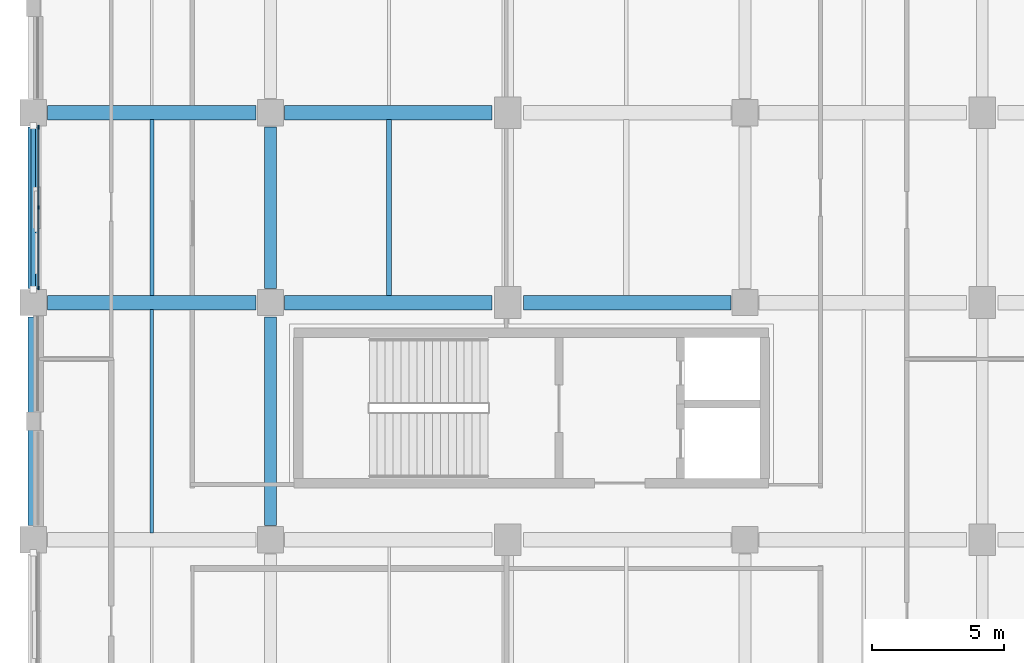
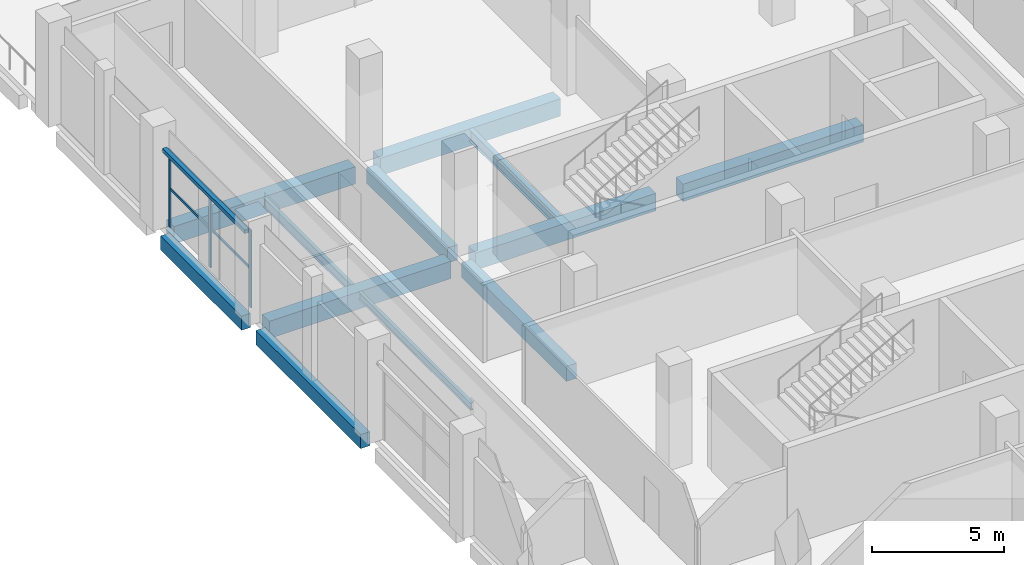
# One storey, part 20 of 111: 12 beams, 6 members, 1 element without a shape of its own.
"""IFC4 building model written with IfcOpenShell, lengths in metres."""

from ifc_helpers import new_model, si_unit, direction, frame, origin, origin_2d, place, context, subcontext, project, spatial, rectangle, hollow_rectangle, i_section, extrude, material, material_profile, profile_set, type_object, element, aggregate, save


model = new_model("IFC4")

# Units and contexts
model_context = context("Model", 3, precision=1e-05, world=origin(), true_north=direction((0.0, 1.0)))
body_context = subcontext(model_context, "Body", "Model", "MODEL_VIEW")
ifc_project = project(units=[si_unit("LENGTHUNIT", "METRE"), si_unit("AREAUNIT", "SQUARE_METRE"), si_unit("VOLUMEUNIT", "CUBIC_METRE"), si_unit("PLANEANGLEUNIT", "RADIAN"), si_unit("MASSUNIT", "GRAM", prefix="KILO"), si_unit("THERMODYNAMICTEMPERATUREUNIT", "KELVIN"), si_unit("POWERUNIT", "WATT")], contexts=[model_context])

# Site, building, storey
site_placement = place(None, origin())
site = spatial("IfcSite", under=ifc_project, at=site_placement, CompositionType="ELEMENT")
building_placement = place(site_placement, origin())
building = spatial("IfcBuilding", under=site, at=building_placement, Name="Sindhuravela Promenade Stadium", CompositionType="ELEMENT")
storey_placement = place(building_placement, frame((0.0, 0.0, 9.60009765625)))
storey = spatial("IfcBuildingStorey", under=building, at=storey_placement, Name="L02", CompositionType="ELEMENT", Elevation=9.60009765625)

# Curtain wall, members
ifc_material_1 = material(Name="Anodised architectural aluminium 6063-T6", Category="aluminium")
curtain_wall_type = type_object("IfcCurtainWallType", Name="CW-MOD-3", PredefinedType="NOTDEFINED", material=ifc_material_1)
curtain_wall_placement = place(storey_placement, origin())
curtain_wall = element("IfcCurtainWall", 1, at=curtain_wall_placement, inside=storey, type_object=curtain_wall_type, Name="Bronze curtain wall CW-WEST-L02-010", PredefinedType="NOTDEFINED")
ifc_material_profile_1 = material_profile(ifc_material_1, rectangle(XDim=0.06005859375, YDim=0.139892578125, at=origin_2d()), Name="ALU M60x140")
ifc_profile_set_1 = profile_set([ifc_material_profile_1], Name="Anodised architectural aluminium 6063-T6")
member_type_1 = type_object("IfcMemberType", Name="CW-MUL-5", PredefinedType="MULLION", material=ifc_profile_set_1)
member_1_placement = place(storey_placement, frame((0.199951171875, 110.35009765625, 0.0), z_axis=(0.0, 0.0, 1.0), x_axis=(1.0, 0.0, 0.0)))
member_1 = element("IfcMember", 2, at=member_1_placement, type_object=member_type_1, Name="Curtain wall mullion CW-WEST-L02-010-M1", PredefinedType="MULLION", context=body_context, shape_type="SweptSolid", body=[
    extrude(rectangle(XDim=0.06005859375, YDim=0.139892578125, at=origin_2d()), origin(), (0.0, 0.0, 1.0), 3.579833984375),
])
member_2_placement = place(storey_placement, frame((0.199951171875, 113.39990234375, 0.0), z_axis=(0.0, 0.0, 1.0), x_axis=(1.0, 0.0, 0.0)))
member_2 = element("IfcMember", 3, at=member_2_placement, type_object=member_type_1, Name="Curtain wall mullion CW-WEST-L02-010-M2", PredefinedType="MULLION", context=body_context, shape_type="SweptSolid", body=[
    extrude(rectangle(XDim=0.06005859375, YDim=0.139892578125, at=origin_2d()), origin(), (0.0, 0.0, 1.0), 3.579833984375),
])
member_3_placement = place(storey_placement, frame((0.199951171875, 116.449951171875, 0.0), z_axis=(0.0, 0.0, 1.0), x_axis=(1.0, 0.0, 0.0)))
member_3 = element("IfcMember", 4, at=member_3_placement, type_object=member_type_1, Name="Curtain wall mullion CW-WEST-L02-010-M3", PredefinedType="MULLION", context=body_context, shape_type="SweptSolid", body=[
    extrude(rectangle(XDim=0.06005859375, YDim=0.139892578125, at=origin_2d()), origin(), (0.0, 0.0, 1.0), 3.579833984375),
])
ifc_material_profile_2 = material_profile(ifc_material_1, rectangle(XDim=0.06005859375, YDim=0.110107421875, at=origin_2d()), Name="ALU T60x110")
ifc_profile_set_2 = profile_set([ifc_material_profile_2], Name="Anodised architectural aluminium 6063-T6")
member_type_2 = type_object("IfcMemberType", Name="CW-TRN-5", PredefinedType="USERDEFINED", material=ifc_profile_set_2)
member_4_placement = place(storey_placement, frame((0.199951171875, 110.324951171875, 1.789794921875), z_axis=(0.0, 1.0, 0.0), x_axis=(-1.0, 0.0, 0.0)))
member_4 = element("IfcMember", 5, at=member_4_placement, type_object=member_type_2, Name="Curtain wall transom CW-WEST-L02-010-T1", ObjectType="TRANSOM", PredefinedType="USERDEFINED", context=body_context, shape_type="SweptSolid", body=[
    extrude(rectangle(XDim=0.06005859375, YDim=0.110107421875, at=origin_2d()), origin(), (0.0, 0.0, 1.0), 6.150146484375),
])
member_5_placement = place(storey_placement, frame((0.199951171875, 110.324951171875, 3.5), z_axis=(0.0, 1.0, 0.0), x_axis=(-1.0, 0.0, 0.0)))
member_5 = element("IfcMember", 6, at=member_5_placement, type_object=member_type_2, Name="Curtain wall transom CW-WEST-L02-010-T2", ObjectType="TRANSOM", PredefinedType="USERDEFINED", context=body_context, shape_type="SweptSolid", body=[
    extrude(rectangle(XDim=0.06005859375, YDim=0.110107421875, at=origin_2d()), origin(), (0.0, 0.0, 1.0), 6.150146484375),
])
aggregate(curtain_wall, [member_1, member_2, member_3, member_4, member_5])

# Beams
ifc_material_2 = material(Name="Concrete M40", Category="concrete")
ifc_material_profile_3 = material_profile(ifc_material_2, rectangle(XDim=0.39990234375, YDim=0.64990234375, at=origin_2d()), Name="RC 400x650")
ifc_profile_set_3 = profile_set([ifc_material_profile_3], Name="Concrete M40")
beam_type_1 = type_object("IfcBeamType", Name="RC-BM-400x650", PredefinedType="SPANDREL", material=ifc_profile_set_3)
beam_1_placement = place(storey_placement, frame((0.0, 101.340087890625, -0.60498046875), z_axis=(0.0, 1.0, 0.0), x_axis=(-1.0, 0.0, 0.0)))
element("IfcBeam", 7, at=beam_1_placement, inside=storey, type_object=beam_type_1, Name="Primary beam SP01 WEST L02", PredefinedType="SPANDREL", context=body_context, shape_type="SweptSolid", body=[
    extrude(rectangle(XDim=0.39990234375, YDim=0.64990234375, at=origin_2d()), origin(), (0.0, 0.0, 1.0), 7.919921875),
])
beam_2_placement = place(storey_placement, frame((0.0, 110.340087890625, -0.60498046875), z_axis=(0.0, 1.0, 0.0), x_axis=(-1.0, 0.0, 0.0)))
element("IfcBeam", 8, at=beam_2_placement, inside=storey, type_object=beam_type_1, Name="Primary beam SP01 WEST L02", PredefinedType="SPANDREL", context=body_context, shape_type="SweptSolid", body=[
    extrude(rectangle(XDim=0.39990234375, YDim=0.64990234375, at=origin_2d()), origin(), (0.0, 0.0, 1.0), 6.119873046875),
])
ifc_material_profile_4 = material_profile(ifc_material_2, rectangle(XDim=0.449951171875, YDim=0.699951171875, at=origin_2d()), Name="RC 450x700")
ifc_profile_set_4 = profile_set([ifc_material_profile_4], Name="Concrete M40")
beam_type_2 = type_object("IfcBeamType", Name="RC-BM-450x700", PredefinedType="BEAM", material=ifc_profile_set_4)
beam_3_placement = place(storey_placement, frame((9.0, 101.340087890625, -0.630126953125), z_axis=(0.0, 1.0, 0.0), x_axis=(-1.0, 0.0, 0.0)))
element("IfcBeam", 9, at=beam_3_placement, inside=storey, type_object=beam_type_2, Name="Primary beam GB07 WEST L02", PredefinedType="BEAM", context=body_context, shape_type="SweptSolid", body=[
    extrude(rectangle(XDim=0.449951171875, YDim=0.699951171875, at=origin_2d()), origin(), (0.0, 0.0, 1.0), 7.919921875),
])
beam_4_placement = place(storey_placement, frame((9.0, 110.340087890625, -0.630126953125), z_axis=(0.0, 1.0, 0.0), x_axis=(-1.0, 0.0, 0.0)))
element("IfcBeam", 10, at=beam_4_placement, inside=storey, type_object=beam_type_2, Name="Primary beam GB07 WEST L02", PredefinedType="BEAM", context=body_context, shape_type="SweptSolid", body=[
    extrude(rectangle(XDim=0.449951171875, YDim=0.699951171875, at=origin_2d()), origin(), (0.0, 0.0, 1.0), 6.119873046875),
])
ifc_material_profile_5 = material_profile(ifc_material_2, rectangle(XDim=0.550048828125, YDim=0.800048828125, at=origin_2d()), Name="RC 550x800")
ifc_profile_set_5 = profile_set([ifc_material_profile_5], Name="Concrete M40")
beam_type_3 = type_object("IfcBeamType", Name="RC-BM-550x800", PredefinedType="BEAM", material=ifc_profile_set_5)
beam_5_placement = place(storey_placement, frame((0.5400390625, 109.800048828125, -0.68017578125), z_axis=(1.0, 0.0, 0.0), x_axis=(0.0, 1.0, 0.0)))
element("IfcBeam", 11, at=beam_5_placement, inside=storey, type_object=beam_type_3, Name="Primary girder GB05 WEST L02", PredefinedType="BEAM", context=body_context, shape_type="SweptSolid", body=[
    extrude(rectangle(XDim=0.550048828125, YDim=0.800048828125, at=origin_2d()), origin(), (0.0, 0.0, 1.0), 7.919921875),
])
for number, where, z_axis, x_axis, name in (
    (12, (9.5400390625, 109.800048828125, -0.68017578125), (1.0, 0.0, 0.0), (0.0, 1.0, 0.0), "Primary girder GB05 WEST L02"),
    (13, (18.590087890625, 109.800048828125, -0.68017578125), (1.0, 0.0, 0.0), (0.0, 1.0, 0.0), "Primary girder GB05 WEST L02"),
):
    element("IfcBeam", number, at=place(storey_placement, frame(where, z_axis=z_axis, x_axis=x_axis)), inside=storey, type_object=beam_type_3, Name=name, PredefinedType="BEAM", context=body_context, shape_type="SweptSolid", body=[
        extrude(rectangle(XDim=0.550048828125, YDim=0.800048828125, at=origin_2d()), origin(), (0.0, 0.0, 1.0), 7.869873046875),
    ])
beam_6_placement = place(storey_placement, frame((0.5400390625, 117.0, -0.68017578125), z_axis=(1.0, 0.0, 0.0), x_axis=(0.0, 1.0, 0.0)))
element("IfcBeam", 14, at=beam_6_placement, inside=storey, type_object=beam_type_3, Name="Primary girder GB05 WEST L02", PredefinedType="BEAM", context=body_context, shape_type="SweptSolid", body=[
    extrude(rectangle(XDim=0.550048828125, YDim=0.800048828125, at=origin_2d()), origin(), (0.0, 0.0, 1.0), 7.919921875),
])
beam_7_placement = place(storey_placement, frame((9.5400390625, 117.0, -0.68017578125), z_axis=(1.0, 0.0, 0.0), x_axis=(0.0, 1.0, 0.0)))
element("IfcBeam", 15, at=beam_7_placement, inside=storey, type_object=beam_type_3, Name="Primary girder GB05 WEST L02", PredefinedType="BEAM", context=body_context, shape_type="SweptSolid", body=[
    extrude(rectangle(XDim=0.550048828125, YDim=0.800048828125, at=origin_2d()), origin(), (0.0, 0.0, 1.0), 7.869873046875),
])
ifc_material_3 = material(Name="Steel E350 (IS 2062 E350BR)", Category="steel")
ifc_material_profile_6 = material_profile(ifc_material_3, i_section(OverallWidth=0.139892578125, OverallDepth=0.35009765625, WebThickness=0.008056640625, FlangeThickness=0.01416015625, FilletRadius=0.013916015625, at=origin_2d()), Name="ISMB 350")
ifc_profile_set_6 = profile_set([ifc_material_profile_6], Name="Steel E350 (IS 2062 E350BR)")
beam_type_4 = type_object("IfcBeamType", Name="ST-BM-MB350", PredefinedType="JOIST", material=ifc_profile_set_6)
beam_8_placement = place(storey_placement, frame((4.5, 101.06494140625, -0.455078125), z_axis=(0.0, 1.0, 0.0), x_axis=(-1.0, 0.0, 0.0)))
element("IfcBeam", 16, at=beam_8_placement, inside=storey, type_object=beam_type_4, Name="Secondary floor joist SB04 WEST L02", PredefinedType="JOIST", context=body_context, shape_type="SweptSolid", body=[
    extrude(i_section(OverallWidth=0.139892578125, OverallDepth=0.35009765625, WebThickness=0.008056640625, FlangeThickness=0.01416015625, FilletRadius=0.013916015625, at=origin_2d()), origin(), (0.0, 0.0, 1.0), 8.469970703125),
])
ifc_material_profile_7 = material_profile(ifc_material_3, i_section(OverallWidth=0.14990234375, OverallDepth=0.449951171875, WebThickness=0.009521484375, FlangeThickness=0.017333984375, FilletRadius=0.014892578125, at=origin_2d()), Name="ISMB 450")
ifc_profile_set_7 = profile_set([ifc_material_profile_7], Name="Steel E350 (IS 2062 E350BR)")
beam_type_5 = type_object("IfcBeamType", Name="ST-BM-MB450", PredefinedType="BEAM", material=ifc_profile_set_7)
beam_9_placement = place(storey_placement, frame((4.5, 110.06494140625, -0.505126953125), z_axis=(0.0, 1.0, 0.0), x_axis=(-1.0, 0.0, 0.0)))
element("IfcBeam", 17, at=beam_9_placement, inside=storey, type_object=beam_type_5, Name="Secondary floor joist SB06 WEST L02", PredefinedType="BEAM", context=body_context, shape_type="SweptSolid", body=[
    extrude(i_section(OverallWidth=0.14990234375, OverallDepth=0.449951171875, WebThickness=0.009521484375, FlangeThickness=0.017333984375, FilletRadius=0.014892578125, at=origin_2d()), origin(), (0.0, 0.0, 1.0), 6.670166015625),
])
ifc_material_profile_8 = material_profile(ifc_material_3, i_section(OverallWidth=0.18994140625, OverallDepth=0.550048828125, WebThickness=0.01123046875, FlangeThickness=0.019287109375, FilletRadius=0.01806640625, at=origin_2d()), Name="ISMB 550")
ifc_profile_set_8 = profile_set([ifc_material_profile_8], Name="Steel E350 (IS 2062 E350BR)")
beam_type_6 = type_object("IfcBeamType", Name="ST-BM-MB550", PredefinedType="SPANDREL", material=ifc_profile_set_8)
beam_10_placement = place(storey_placement, frame((13.5, 110.06494140625, -0.55517578125), z_axis=(0.0, 1.0, 0.0), x_axis=(-1.0, 0.0, 0.0)))
element("IfcBeam", 18, at=beam_10_placement, inside=storey, type_object=beam_type_6, Name="Secondary floor joist SB08 WEST L02", PredefinedType="SPANDREL", context=body_context, shape_type="SweptSolid", body=[
    extrude(i_section(OverallWidth=0.18994140625, OverallDepth=0.550048828125, WebThickness=0.01123046875, FlangeThickness=0.019287109375, FilletRadius=0.01806640625, at=origin_2d()), origin(), (0.0, 0.0, 1.0), 6.670166015625),
])

# Member
ifc_material_profile_9 = material_profile(ifc_material_3, hollow_rectangle(XDim=0.179931640625, YDim=0.179931640625, WallThickness=0.010009765625, at=origin_2d()), Name="SHS 180x180x10")
ifc_profile_set_9 = profile_set([ifc_material_profile_9], Name="Steel E350 (IS 2062 E350BR)")
member_type_3 = type_object("IfcMemberType", Name="ST-MB-SHS180", PredefinedType="BRACE", material=ifc_profile_set_9)
member_6_placement = place(storey_placement, frame((0.0, 110.2919921875, 3.599853515625), z_axis=(0.0, 1.0, 0.0), x_axis=(-1.0, 0.0, 0.0)))
element("IfcMember", 19, at=member_6_placement, inside=storey, type_object=member_type_3, Name="Portal tie member MB02-5", PredefinedType="BRACE", context=body_context, shape_type="SweptSolid", body=[
    extrude(hollow_rectangle(XDim=0.179931640625, YDim=0.179931640625, WallThickness=0.010009765625, at=origin_2d()), origin(), (0.0, 0.0, 1.0), 6.216064453125),
])

save(model, "model.ifc")
